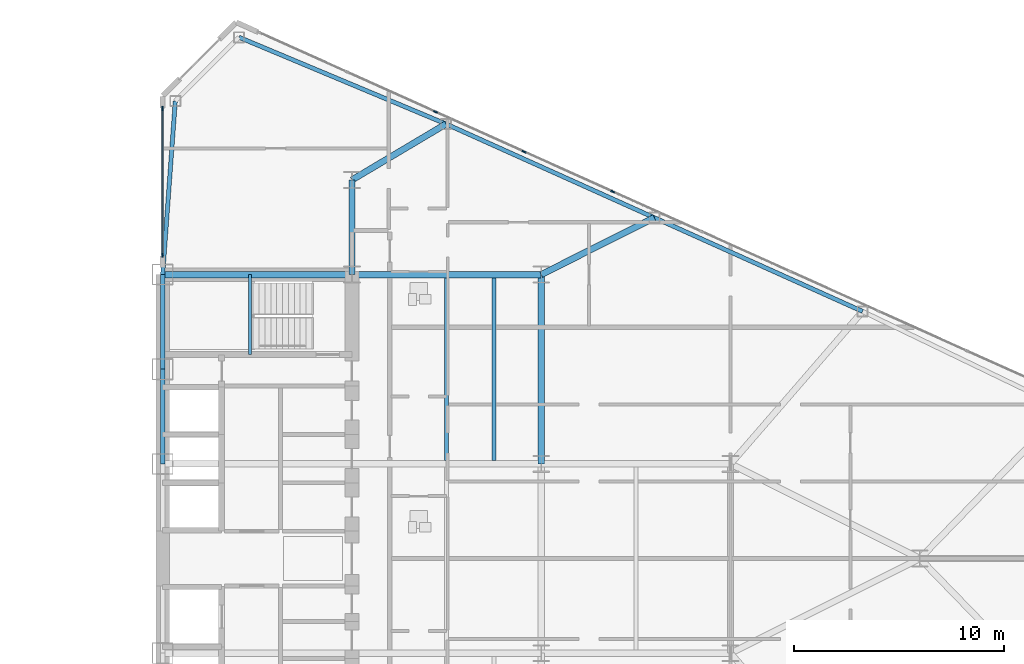
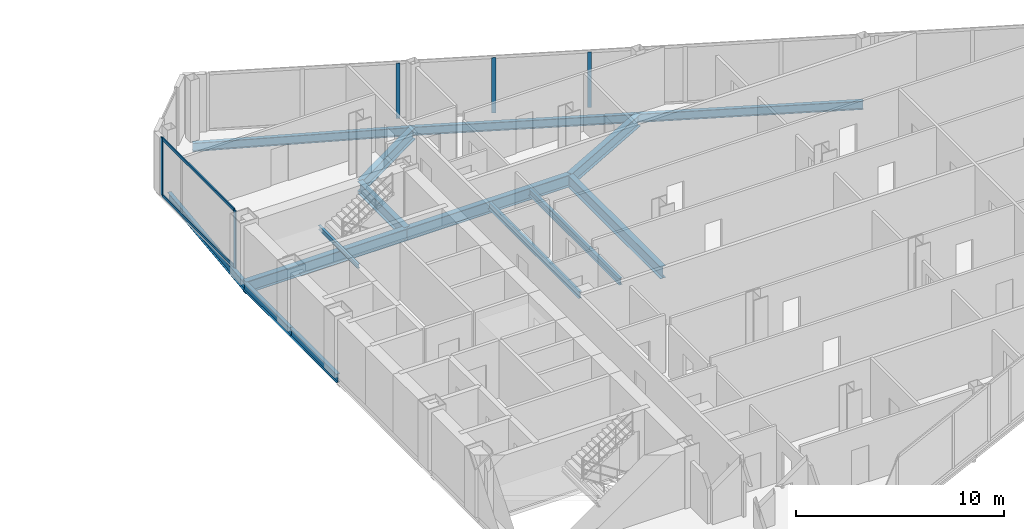
# One storey, part 13 of 27: 15 beams, 7 members, 2 elements without a shape of their own.
"""IFC4 building model written with IfcOpenShell, lengths in metres."""

import ifcopenshell
import ifcopenshell.guid

model = None  # the IFC model being written
_history = None  # IfcOwnerHistory: only IFC2X3 demands one
_inside = {}  # id of a spatial element -> (the spatial element, [elements in it])
_under = {}  # id of a project, library or spatial element -> (it, [spatial elements below it])
_declared = {}  # id of a project -> (the project, [libraries it declares])
_typed = {}  # id of a type object -> (the type object, [elements of that type])
_made_of = {}  # id of a material, layer set ... -> (it, [elements and type objects made of it])


def new_model(schema):
    """Start an empty IFC model of exactly this schema.

    Asked for "IFC4X3", IfcOpenShell would pick the latest addendum, in which some entities
    have other attributes; the version numbers below select the first issue.
    IFC2X3 requires an IfcOwnerHistory on every rooted entity: one is made here for all.
    """
    global model, _history
    if schema == "IFC4X3":
        model = ifcopenshell.file(schema_version=(4, 3, 0, 0))
    else:
        model = ifcopenshell.file(schema=schema)
    _inside.clear()
    _under.clear()
    _declared.clear()
    _typed.clear()
    _made_of.clear()
    _history = None
    if model.schema == "IFC2X3":
        org = make("IfcOrganization", Name="unknown")
        user = make(
            "IfcPersonAndOrganization",
            ThePerson=make("IfcPerson", FamilyName="unknown"),
            TheOrganization=org,
        )
        app = make(
            "IfcApplication",
            ApplicationDeveloper=org,
            Version="unknown",
            ApplicationFullName="unknown",
            ApplicationIdentifier="unknown",
        )
        _history = make(
            "IfcOwnerHistory",
            OwningUser=user,
            OwningApplication=app,
            ChangeAction="ADDED",
            CreationDate=0,
        )
    return model


def make(cls, **values):
    """One entity of the class cls with the attributes given. An attribute that is None is left unset."""
    return model.create_entity(
        cls, **{name: value for name, value in values.items() if value is not None}
    )


def rooted(cls, **values):
    """An entity with a GlobalId (a new one), such as an element, a storey or a relation."""
    return make(cls, GlobalId=ifcopenshell.guid.new(), OwnerHistory=_history, **values)


def si_unit(unit_type, name, prefix=None):
    """IfcSIUnit, for example si_unit("LENGTHUNIT", "METRE", prefix="MILLI")."""
    return make("IfcSIUnit", UnitType=unit_type, Prefix=prefix, Name=name)


def assignment(units):
    """IfcUnitAssignment: the units of a project."""
    return None if units is None else make("IfcUnitAssignment", Units=units)


def point(xyz):
    """IfcCartesianPoint."""
    return None if xyz is None else make("IfcCartesianPoint", Coordinates=xyz)


def direction(xyz):
    """IfcDirection."""
    return None if xyz is None else make("IfcDirection", DirectionRatios=xyz)


def frame(location, z_axis=None, x_axis=None):
    """IfcAxis2Placement3D, a coordinate frame: its origin and axes. An axis left out is left unset."""
    return make(
        "IfcAxis2Placement3D",
        Location=point(location),
        Axis=direction(z_axis),
        RefDirection=direction(x_axis),
    )


def frame_2d(location, x_axis=None):
    """IfcAxis2Placement2D, a coordinate frame in the plane: its origin and x axis."""
    return make(
        "IfcAxis2Placement2D", Location=point(location), RefDirection=direction(x_axis)
    )


def origin():
    """The frame at (0, 0, 0) with its axes left unset."""
    return frame((0.0, 0.0, 0.0))


def origin_2d():
    """The frame at (0, 0) in the plane with its x axis left unset."""
    return frame_2d((0.0, 0.0))


def place(relative_to, where):
    """IfcLocalPlacement: puts the frame where relative to a parent placement (None: the world)."""
    return make(
        "IfcLocalPlacement", PlacementRelTo=relative_to, RelativePlacement=where
    )


def context(
    kind, dimensions, precision=None, world=None, true_north=None, identifier=None
):
    """IfcGeometricRepresentationContext, for example the 3D "Model" context."""
    return make(
        "IfcGeometricRepresentationContext",
        ContextIdentifier=identifier,
        ContextType=kind,
        CoordinateSpaceDimension=dimensions,
        Precision=precision,
        WorldCoordinateSystem=world,
        TrueNorth=true_north,
    )


def subcontext(parent, identifier, kind, view, scale=None):
    """IfcGeometricRepresentationSubContext, for example "Body" below "Model"."""
    return make(
        "IfcGeometricRepresentationSubContext",
        ContextIdentifier=identifier,
        ContextType=kind,
        ParentContext=parent,
        TargetScale=scale,
        TargetView=view,
    )


def project(units=None, contexts=None):
    """IfcProject with its units and contexts."""
    return rooted(
        "IfcProject",
        Name="project",
        RepresentationContexts=contexts,
        UnitsInContext=assignment(units),
    )


def spatial(cls, under=None, at=None, **own):
    """A site, building, storey or space (cls), placed at a placement, below another one or the project."""
    s = rooted(cls, ObjectPlacement=at, **own)
    if under is not None:
        _under.setdefault(under.id(), (under, []))[1].append(s)
    return s


def profile(cls, at=None, kind="AREA", **sizes):
    """A parametric profile (cls). Its sizes go by their IFC names, for example OverallWidth=200.0."""
    return make(cls, ProfileType=kind, Position=at, **sizes)


def rectangle(**sizes):
    """IfcRectangleProfileDef."""
    return profile("IfcRectangleProfileDef", **sizes)


def i_section(**sizes):
    """IfcIShapeProfileDef."""
    return profile("IfcIShapeProfileDef", **sizes)


def extrude(swept, where, along, depth):
    """IfcExtrudedAreaSolid: the profile swept, set in the frame where, extruded along a direction by depth."""
    return make(
        "IfcExtrudedAreaSolid",
        SweptArea=swept,
        Position=where,
        ExtrudedDirection=direction(along),
        Depth=depth,
    )


def shape(context_of_items, identifier, shape_type, items):
    """IfcShapeRepresentation: the items that make up one representation, for example the "Body"."""
    return make(
        "IfcShapeRepresentation",
        ContextOfItems=context_of_items,
        RepresentationIdentifier=identifier,
        RepresentationType=shape_type,
        Items=items,
    )


def source(mapping_origin, context_of_items, identifier, shape_type, items):
    """IfcRepresentationMap: a shape defined once, which mapped items show again and again."""
    return make(
        "IfcRepresentationMap",
        MappingOrigin=mapping_origin,
        MappedRepresentation=shape(context_of_items, identifier, shape_type, items),
    )


def transform(
    local_origin,
    x_axis=None,
    y_axis=None,
    z_axis=None,
    scale=None,
    scale2=None,
    scale3=None,
    uniform=True,
):
    """IfcCartesianTransformationOperator3D, or its non-uniform kind. x_axis, y_axis, z_axis: its Axis1, 2, 3."""
    if uniform:
        return make(
            "IfcCartesianTransformationOperator3D",
            Axis1=direction(x_axis),
            Axis2=direction(y_axis),
            LocalOrigin=point(local_origin),
            Scale=scale,
            Axis3=direction(z_axis),
        )
    return make(
        "IfcCartesianTransformationOperator3DnonUniform",
        Axis1=direction(x_axis),
        Axis2=direction(y_axis),
        LocalOrigin=point(local_origin),
        Scale=scale,
        Axis3=direction(z_axis),
        Scale2=scale2,
        Scale3=scale3,
    )


def mapped(mapping_source, mapping_target):
    """IfcMappedItem: shows the shape of a source again, moved by a transform."""
    return make(
        "IfcMappedItem", MappingSource=mapping_source, MappingTarget=mapping_target
    )


def material(Name=None, Category=None):
    """IfcMaterial."""
    return make("IfcMaterial", Name=Name, Category=Category)


def layer(
    of_material, thickness, ventilated=None, Name=None, Category=None, Priority=None
):
    """IfcMaterialLayer: one layer of a wall or slab, of a material (None: an air gap)."""
    return make(
        "IfcMaterialLayer",
        Material=of_material,
        LayerThickness=thickness,
        IsVentilated=ventilated,
        Name=Name,
        Category=Category,
        Priority=Priority,
    )


def layer_set(layers, Name=None):
    """IfcMaterialLayerSet."""
    return make("IfcMaterialLayerSet", MaterialLayers=layers, LayerSetName=Name)


def material_profile(
    of_material, cross_section, Name=None, Category=None, Priority=None
):
    """IfcMaterialProfile: a cross section and its material."""
    return make(
        "IfcMaterialProfile",
        Name=Name,
        Material=of_material,
        Profile=cross_section,
        Priority=Priority,
        Category=Category,
    )


def profile_set(profiles, Name=None, composite=None):
    """IfcMaterialProfileSet."""
    return make(
        "IfcMaterialProfileSet",
        Name=Name,
        MaterialProfiles=profiles,
        CompositeProfile=composite,
    )


def made_of(thing, what):
    """Note that an element or type object is made of a material, layer set ...; save() writes the relation."""
    if what is not None:
        _made_of.setdefault(what.id(), (what, []))[1].append(thing)
    return thing


def type_object(cls, material=None, **own):
    """A type object (cls), such as IfcWallType, which elements share."""
    return made_of(rooted(cls, **own), material)


def type_shapes(of_type, sources):
    """Give a type object the sources (RepresentationMaps) that its elements show as mapped items."""
    of_type.RepresentationMaps = sources


def element(
    cls,
    number,
    at=None,
    inside=None,
    cuts=None,
    type_object=None,
    material=None,
    context=None,
    identifier="Body",
    shape_type=None,
    held_by="IfcProductDefinitionShape",
    body=None,
    shapes=None,
    **own,
):
    """One element of the class cls, such as IfcWall. Its Tag is "e" and its number.

    at: its placement. inside: the storey or other place that contains it. cuts: it is an
    opening in that element (IfcRelVoidsElement). A single representation is given by context,
    identifier, shape_type and body (its items); several are given by shapes. held_by: the class
    of the entity that holds the representations. save() writes the other relations.
    """
    e = rooted(cls, Tag="e%d" % number, ObjectPlacement=at, **own)
    if body is not None:
        shapes = [shape(context, identifier, shape_type, body)]
    if shapes is not None:
        e.Representation = make(held_by, Representations=shapes)
    if inside is not None:
        _inside.setdefault(inside.id(), (inside, []))[1].append(e)
    if cuts is not None:
        rooted(
            "IfcRelVoidsElement", RelatingBuildingElement=cuts, RelatedOpeningElement=e
        )
    if type_object is not None:
        _typed.setdefault(type_object.id(), (type_object, []))[1].append(e)
    return made_of(e, material)


def aggregate(whole, parts):
    """IfcRelAggregates: a whole, such as a stair, and the parts it consists of."""
    return rooted("IfcRelAggregates", RelatingObject=whole, RelatedObjects=parts)


def save(model, path):
    """Write the relations noted so far, then the file.

    IfcRelAggregates (storeys below a building ...), IfcRelContainedInSpatialStructure (elements
    in a storey), IfcRelDefinesByType, IfcRelAssociatesMaterial and IfcRelDeclares: one each for
    every whole, place, type object, material and project.
    """
    for whole, parts in _under.values():
        aggregate(whole, parts)
    for where, things in _inside.values():
        rooted(
            "IfcRelContainedInSpatialStructure",
            RelatedElements=things,
            RelatingStructure=where,
        )
    for kind, things in _typed.values():
        rooted("IfcRelDefinesByType", RelatedObjects=things, RelatingType=kind)
    for what, things in _made_of.values():
        rooted("IfcRelAssociatesMaterial", RelatedObjects=things, RelatingMaterial=what)
    for by, libraries in _declared.values():
        rooted("IfcRelDeclares", RelatingContext=by, RelatedDefinitions=libraries)
    model.write(path)


model = new_model("IFC4")

# Units and contexts
model_context = context("Model", 3, precision=1e-05, world=origin(), true_north=direction((0.0, 1.0)))
body_context = subcontext(model_context, "Body", "Model", "MODEL_VIEW")
ifc_project = project(units=[si_unit("LENGTHUNIT", "METRE"), si_unit("AREAUNIT", "SQUARE_METRE"), si_unit("VOLUMEUNIT", "CUBIC_METRE"), si_unit("PLANEANGLEUNIT", "RADIAN"), si_unit("MASSUNIT", "GRAM", prefix="KILO")], contexts=[model_context])

# Site, building, storey
site_placement = place(None, origin())
site = spatial("IfcSite", under=ifc_project, at=site_placement, CompositionType="ELEMENT")
building_placement = place(site_placement, origin())
building = spatial("IfcBuilding", under=site, at=building_placement, Name="Seokmaru Belvedere", CompositionType="ELEMENT")
storey_placement = place(building_placement, frame((0.0, 0.0, 80.10009765625)))
storey = spatial("IfcBuildingStorey", under=building, at=storey_placement, Name="L21", CompositionType="ELEMENT", Elevation=80.10009765625)

# Beams
ifc_material_1 = material(Name="Steel SM355 (355 MPa)", Category="steel")
ifc_material_profile_1 = material_profile(ifc_material_1, i_section(OverallWidth=0.199951171875, OverallDepth=0.5, WebThickness=0.010009765625, FlangeThickness=0.01611328125, at=origin_2d()), Name="H-500x200x10x16")
ifc_profile_set_1 = profile_set([ifc_material_profile_1], Name="Steel SM355 (355 MPa)")
beam_type_1 = type_object("IfcBeamType", Name="Perimeter Spandrel Beam H-500", PredefinedType="SPANDREL", material=ifc_profile_set_1)
shared_shape_1 = source(origin(), body_context, "Body", "SweptSolid", [
    extrude(i_section(OverallWidth=0.199951171875, OverallDepth=0.5, WebThickness=0.010009765625, FlangeThickness=0.01611328125, at=origin_2d()), origin(), (0.0, 0.0, 1.0), 4.5),
])
for number, where, z_axis, x_axis, name in (
    (1, (27.5, 4.5, -0.47021484375), (0.0, 1.0, 0.0), (-1.0, 0.0, 0.0), "L21 E Portal Spine Spandrel 4"),
    (2, (27.5, 9.0, -0.47021484375), (0.0, 1.0, 0.0), (-1.0, 0.0, 0.0), "L21 E Portal Spine Spandrel 5"),
):
    element("IfcBeam", number, at=place(storey_placement, frame(where, z_axis=z_axis, x_axis=x_axis)), inside=storey, type_object=beam_type_1, Name=name, PredefinedType="SPANDREL", context=body_context, shape_type="MappedRepresentation", body=[
        mapped(shared_shape_1, transform((0.0, 0.0, 0.0), scale=1.0)),
    ])
ifc_material_profile_2 = material_profile(ifc_material_1, i_section(OverallWidth=0.300048828125, OverallDepth=0.699951171875, WebThickness=0.012939453125, FlangeThickness=0.02392578125, at=origin_2d()), Name="H-700x300x13x24")
ifc_profile_set_2 = profile_set([ifc_material_profile_2], Name="Steel SM355 (355 MPa)")
beam_type_2 = type_object("IfcBeamType", Name="Primary Floor Girder H-700", PredefinedType="BEAM", material=ifc_profile_set_2)
shared_shape_2 = source(origin(), body_context, "Body", "SweptSolid", [
    extrude(i_section(OverallWidth=0.300048828125, OverallDepth=0.699951171875, WebThickness=0.012939453125, FlangeThickness=0.02392578125, at=origin_2d()), origin(), (0.0, 0.0, 1.0), 4.5),
])
beam_1_placement = place(storey_placement, frame((36.5, 13.5, -0.570068359375), z_axis=(0.0, 1.0, 0.0), x_axis=(-1.0, 0.0, 0.0)))
element("IfcBeam", 3, at=beam_1_placement, inside=storey, type_object=beam_type_2, Name="L21 E Core Shoulder Girder N", PredefinedType="BEAM", context=body_context, shape_type="MappedRepresentation", body=[
    mapped(shared_shape_2, transform((0.0, 0.0, 0.0), scale=1.0)),
])
shared_shape_3 = source(origin(), body_context, "Body", "SweptSolid", [
    extrude(i_section(OverallWidth=0.300048828125, OverallDepth=0.699951171875, WebThickness=0.012939453125, FlangeThickness=0.02392578125, at=origin_2d()), origin(), (0.0, 0.0, 1.0), 9.0),
])
for number, where, z_axis, x_axis, name in (
    (4, (45.5, 4.5, -0.570068359375), (0.0, 1.0, 0.0), (-1.0, 0.0, 0.0), "L21 E Interior Grid Girder 3"),
    (5, (27.5, 13.5, -0.570068359375), (1.0, 0.0, 0.0), (0.0, 1.0, 0.0), "L21 E Core Tie Girder 4"),
    (6, (36.5, 13.5, -0.570068359375), (1.0, 0.0, 0.0), (0.0, 1.0, 0.0), "L21 E Wing Primary Girder 4"),
):
    element("IfcBeam", number, at=place(storey_placement, frame(where, z_axis=z_axis, x_axis=x_axis)), inside=storey, type_object=beam_type_2, Name=name, PredefinedType="BEAM", context=body_context, shape_type="MappedRepresentation", body=[
        mapped(shared_shape_3, transform((0.0, 0.0, 0.0), scale=1.0)),
    ])
ifc_material_profile_3 = material_profile(ifc_material_1, i_section(OverallWidth=0.18505859375, OverallDepth=0.389892578125, WebThickness=0.008056640625, FlangeThickness=0.011962890625, at=origin_2d()), Name="H-390x185x8x12")
ifc_profile_set_3 = profile_set([ifc_material_profile_3], Name="Steel SM355 (355 MPa)")
beam_type_3 = type_object("IfcBeamType", Name="Secondary Floor Joist H-350", PredefinedType="JOIST", material=ifc_profile_set_3)
shared_shape_4 = source(origin(), body_context, "Body", "SweptSolid", [
    extrude(i_section(OverallWidth=0.18505859375, OverallDepth=0.389892578125, WebThickness=0.008056640625, FlangeThickness=0.011962890625, at=origin_2d()), origin(), (0.0, 0.0, 1.0), 8.68994140625),
])
type_shapes(beam_type_3, [shared_shape_4])
for number, where, z_axis, x_axis, name in (
    (7, (43.25, 4.655029296875, -0.4150390625), (0.0, 1.0, 0.0), (-1.0, 0.0, 0.0), "L21 E Wing Inner Secondary Joist 2"),
    (8, (41.0, 4.655029296875, -0.4150390625), (0.0, 1.0, 0.0), (-1.0, 0.0, 0.0), "L21 E Secondary Floor Joist 3"),
):
    element("IfcBeam", number, at=place(storey_placement, frame(where, z_axis=z_axis, x_axis=x_axis)), inside=storey, type_object=beam_type_3, Name=name, PredefinedType="JOIST", context=body_context, shape_type="MappedRepresentation", body=[
        mapped(shared_shape_4, transform((0.0, 0.0, 0.0), scale=1.0)),
    ])
shared_shape_5 = source(origin(), body_context, "Body", "SweptSolid", [
    extrude(i_section(OverallWidth=0.199951171875, OverallDepth=0.5, WebThickness=0.010009765625, FlangeThickness=0.01611328125, at=origin_2d()), origin(), (0.0, 0.0, 1.0), 10.66943359375),
])
beam_2_placement = place(storey_placement, frame((31.13134765625, 24.782958984375, -0.47021484375), z_axis=(0.922375393128, -0.386294750355, 0.0), x_axis=(0.386294750355, 0.922375393128, 0.0)))
element("IfcBeam", 9, at=beam_2_placement, inside=storey, type_object=beam_type_1, Name="L21 E Faceted Flank Spandrel N-1", PredefinedType="SPANDREL", context=body_context, shape_type="MappedRepresentation", body=[
    mapped(shared_shape_5, transform((0.0, 0.0, 0.0), scale=1.0)),
])
shared_shape_6 = source(origin(), body_context, "Body", "SweptSolid", [
    extrude(i_section(OverallWidth=0.199951171875, OverallDepth=0.5, WebThickness=0.010009765625, FlangeThickness=0.01611328125, at=origin_2d()), origin(), (0.0, 0.0, 1.0), 10.85888671875),
])
for number, where, z_axis, x_axis, name in (
    (10, (40.97265625, 20.661376953125, -0.47021484375), (0.911921505175, -0.410364677329, 0.0), (0.410364677329, 0.911921505175, 0.0), "L21 E Faceted Flank Spandrel N-2"),
    (11, (50.875, 16.205322265625, -0.47021484375), (0.911925291223, -0.410356263785, 0.0), (0.410356263785, 0.911925291223, 0.0), "L21 E Faceted Flank Spandrel N-3"),
):
    element("IfcBeam", number, at=place(storey_placement, frame(where, z_axis=z_axis, x_axis=x_axis)), inside=storey, type_object=beam_type_1, Name=name, PredefinedType="SPANDREL", context=body_context, shape_type="MappedRepresentation", body=[
        mapped(shared_shape_6, transform((0.0, 0.0, 0.0), scale=1.0)),
    ])
shared_shape_7 = source(origin(), body_context, "Body", "SweptSolid", [
    extrude(i_section(OverallWidth=0.199951171875, OverallDepth=0.5, WebThickness=0.010009765625, FlangeThickness=0.01611328125, at=origin_2d()), origin(), (0.0, 0.0, 1.0), 8.273193359375),
])
type_shapes(beam_type_1, [shared_shape_1, shared_shape_5, shared_shape_6, shared_shape_7])
beam_3_placement = place(storey_placement, frame((28.10009765625, 21.75146484375, -0.47021484375), z_axis=(-0.072534628348, -0.99736589459, 0.0), x_axis=(0.99736589459, -0.072534628348, 0.0)))
element("IfcBeam", 12, at=beam_3_placement, inside=storey, type_object=beam_type_1, Name="L21 E Shoulder Spine Spandrel N", PredefinedType="SPANDREL", context=body_context, shape_type="MappedRepresentation", body=[
    mapped(shared_shape_7, transform((0.0, 0.0, 0.0), scale=1.0)),
])
shared_shape_8 = source(origin(), body_context, "Body", "SweptSolid", [
    extrude(i_section(OverallWidth=0.300048828125, OverallDepth=0.699951171875, WebThickness=0.012939453125, FlangeThickness=0.02392578125, at=origin_2d()), origin(), (0.0, 0.0, 1.0), 5.20458984375),
])
beam_4_placement = place(storey_placement, frame((40.97265625, 20.661376953125, -0.570068359375), z_axis=(-0.859370434188, -0.511353553662, 0.0), x_axis=(0.511353553662, -0.859370434188, 0.0)))
element("IfcBeam", 13, at=beam_4_placement, inside=storey, type_object=beam_type_2, Name="L21 E Flank Radial Floor Girder N-1", PredefinedType="BEAM", context=body_context, shape_type="MappedRepresentation", body=[
    mapped(shared_shape_8, transform((0.0, 0.0, 0.0), scale=1.0)),
])
shared_shape_9 = source(origin(), body_context, "Body", "SweptSolid", [
    extrude(i_section(OverallWidth=0.300048828125, OverallDepth=0.699951171875, WebThickness=0.012939453125, FlangeThickness=0.02392578125, at=origin_2d()), origin(), (0.0, 0.0, 1.0), 6.017333984375),
])
type_shapes(beam_type_2, [shared_shape_2, shared_shape_3, shared_shape_8, shared_shape_9])
beam_5_placement = place(storey_placement, frame((50.875, 16.205322265625, -0.570068359375), z_axis=(-0.893239341975, -0.449581447512, 0.0), x_axis=(0.449581447512, -0.893239341975, 0.0)))
element("IfcBeam", 14, at=beam_5_placement, inside=storey, type_object=beam_type_2, Name="L21 E Flank Radial Floor Girder N-2", PredefinedType="BEAM", context=body_context, shape_type="MappedRepresentation", body=[
    mapped(shared_shape_9, transform((0.0, 0.0, 0.0), scale=1.0)),
])

# Curtain wall, members
ifc_material_2 = material(Name="Bronze Triple Insulating Glass", Category="glass")
ifc_layer = layer(ifc_material_2, 0.195068359375)
ifc_layer_set = layer_set([ifc_layer], Name="Bronze Triple Insulating Glass")
curtain_wall_type = type_object("IfcCurtainWallType", Name="Lower-Mid Tapered Curtain Wall System CW-3", PredefinedType="NOTDEFINED", material=ifc_layer_set)
curtain_wall_1_placement = place(storey_placement, origin())
curtain_wall_1 = element("IfcCurtainWall", 15, at=curtain_wall_1_placement, inside=storey, type_object=curtain_wall_type, Name="L21 Curtain Wall ESP_2", PredefinedType="NOTDEFINED")
ifc_material_3 = material(Name="Anodised Bronze Aluminium", Category="aluminium")
ifc_material_profile_4 = material_profile(ifc_material_3, rectangle(XDim=0.070068359375, YDim=0.195068359375, at=origin_2d()), Name="CW-M-70x195")
ifc_profile_set_4 = profile_set([ifc_material_profile_4], Name="Anodised Bronze Aluminium")
member_type_1 = type_object("IfcMemberType", Name="Bronze Unitised Mullion 70x195", PredefinedType="MULLION", material=ifc_profile_set_4)
shared_shape_10 = source(origin(), body_context, "Body", "SweptSolid", [
    extrude(rectangle(XDim=0.070068359375, YDim=0.195068359375, at=origin_2d()), origin(), (0.0, 0.0, 1.0), 3.3798828125),
])
member_1_placement = place(storey_placement, frame((27.5, 21.39501953125, 0.0), z_axis=(0.0, 0.0, 1.0), x_axis=(1.0, 0.0, 0.0)))
member_1 = element("IfcMember", 16, at=member_1_placement, type_object=member_type_1, Name="CW:L21:ESP_2 Mullion 1", PredefinedType="MULLION", context=body_context, shape_type="MappedRepresentation", body=[
    mapped(shared_shape_10, transform((0.0, 0.0, 0.0), scale=1.0)),
])
member_2_placement = place(storey_placement, frame((27.5, 14.4150390625, 0.0), z_axis=(0.0, 0.0, 1.0), x_axis=(1.0, 0.0, 0.0)))
member_2 = element("IfcMember", 17, at=member_2_placement, type_object=member_type_1, Name="CW:L21:ESP_2 Mullion 2", PredefinedType="MULLION", context=body_context, shape_type="MappedRepresentation", body=[
    mapped(shared_shape_10, transform((0.0, 0.0, 0.0), scale=1.0)),
])
ifc_material_profile_5 = material_profile(ifc_material_3, rectangle(XDim=0.070068359375, YDim=0.1650390625, at=origin_2d()), Name="CW-T-70x165")
ifc_profile_set_5 = profile_set([ifc_material_profile_5], Name="Anodised Bronze Aluminium")
member_type_2 = type_object("IfcMemberType", Name="Bronze Unitised Transom 70x165", PredefinedType="USERDEFINED", material=ifc_profile_set_5)
shared_shape_11 = source(origin(), body_context, "Body", "SweptSolid", [
    extrude(rectangle(XDim=0.070068359375, YDim=0.1650390625, at=origin_2d()), origin(), (0.0, 0.0, 1.0), 6.91015625),
])
type_shapes(member_type_2, [shared_shape_11])
member_3_placement = place(storey_placement, frame((27.5, 21.360107421875, 0.034912109375), z_axis=(0.0, -1.0, 0.0), x_axis=(1.0, 0.0, 0.0)))
member_3 = element("IfcMember", 18, at=member_3_placement, type_object=member_type_2, Name="CW:L21:ESP_2 Continuous Transom 1", ObjectType="TRANSOM", PredefinedType="USERDEFINED", context=body_context, shape_type="MappedRepresentation", body=[
    mapped(shared_shape_11, transform((0.0, 0.0, 0.0), scale=1.0)),
])
member_4_placement = place(storey_placement, frame((27.5, 21.360107421875, 3.344970703125), z_axis=(0.0, -1.0, 0.0), x_axis=(1.0, 0.0, 0.0)))
member_4 = element("IfcMember", 19, at=member_4_placement, type_object=member_type_2, Name="CW:L21:ESP_2 Continuous Transom 2", ObjectType="TRANSOM", PredefinedType="USERDEFINED", context=body_context, shape_type="MappedRepresentation", body=[
    mapped(shared_shape_11, transform((0.0, 0.0, 0.0), scale=1.0)),
])
aggregate(curtain_wall_1, [member_1, member_2, member_3, member_4])

curtain_wall_2_placement = place(storey_placement, origin())
curtain_wall_2 = element("IfcCurtainWall", 20, at=curtain_wall_2_placement, inside=storey, type_object=curtain_wall_type, Name="L21 Curtain Wall EF3", PredefinedType="NOTDEFINED")
shared_shape_12 = source(origin(), body_context, "Body", "SweptSolid", [
    extrude(rectangle(XDim=0.070068359375, YDim=0.195068359375, at=origin_2d()), origin(), (0.0, 0.0, 1.0), 3.239990234375),
])
type_shapes(member_type_1, [shared_shape_10, shared_shape_12])
member_5_placement = place(storey_placement, frame((48.894287109375, 17.447509765625, 0.06982421875), z_axis=(0.0, 0.0, 1.0), x_axis=(-0.41036554765, -0.91192111353, 0.0)))
member_5 = element("IfcMember", 21, at=member_5_placement, type_object=member_type_1, Name="CW:L21:EF3 Mullion 6", PredefinedType="MULLION", context=body_context, shape_type="MappedRepresentation", body=[
    mapped(shared_shape_12, transform((0.0, 0.0, 0.0), scale=1.0)),
])
member_6_placement = place(storey_placement, frame((44.682861328125, 19.3427734375, 0.06982421875), z_axis=(0.0, 0.0, 1.0), x_axis=(-0.41036554765, -0.91192111353, 0.0)))
member_6 = element("IfcMember", 22, at=member_6_placement, type_object=member_type_1, Name="CW:L21:EF3 Mullion 7", PredefinedType="MULLION", context=body_context, shape_type="MappedRepresentation", body=[
    mapped(shared_shape_12, transform((0.0, 0.0, 0.0), scale=1.0)),
])
member_7_placement = place(storey_placement, frame((40.471435546875, 21.23779296875, 0.06982421875), z_axis=(0.0, 0.0, 1.0), x_axis=(-0.41036554765, -0.91192111353, 0.0)))
member_7 = element("IfcMember", 23, at=member_7_placement, type_object=member_type_1, Name="CW:L21:EF3 Mullion 8", PredefinedType="MULLION", context=body_context, shape_type="MappedRepresentation", body=[
    mapped(shared_shape_12, transform((0.0, 0.0, 0.0), scale=1.0)),
])
aggregate(curtain_wall_2, [member_5, member_6, member_7])

# Beam
ifc_material_profile_6 = material_profile(ifc_material_1, i_section(OverallWidth=0.125, OverallDepth=0.25, WebThickness=0.006103515625, FlangeThickness=0.009033203125, at=origin_2d()), Name="H-250x125x6x9")
ifc_profile_set_6 = profile_set([ifc_material_profile_6], Name="Steel SM355 (355 MPa)")
beam_type_4 = type_object("IfcBeamType", Name="Stair Mid-Landing Support Beam H-250", PredefinedType="JOIST", material=ifc_profile_set_6)
shared_shape_13 = source(origin(), body_context, "Body", "SweptSolid", [
    extrude(i_section(OverallWidth=0.125, OverallDepth=0.25, WebThickness=0.006103515625, FlangeThickness=0.009033203125, at=origin_2d()), origin(), (0.0, 0.0, 1.0), 3.800048828125),
])
type_shapes(beam_type_4, [shared_shape_13])
beam_6_placement = place(storey_placement, frame((31.64990234375, 9.699951171875, 1.474853515625), z_axis=(0.0, 1.0, 0.0), x_axis=(-1.0, 0.0, 0.0)))
element("IfcBeam", 24, at=beam_6_placement, inside=storey, type_object=beam_type_4, Name="L21 Stair ST-E2 Mid-Landing Support Beam 1", PredefinedType="JOIST", context=body_context, shape_type="MappedRepresentation", body=[
    mapped(shared_shape_13, transform((0.0, 0.0, 0.0), scale=1.0)),
])

save(model, "model.ifc")
